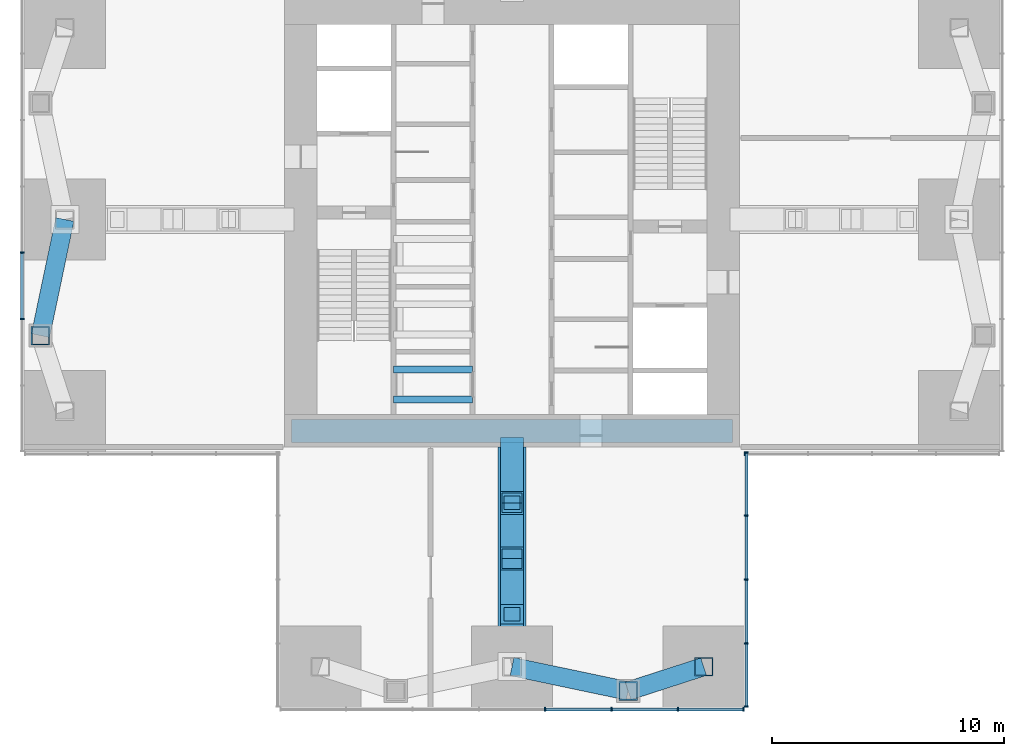
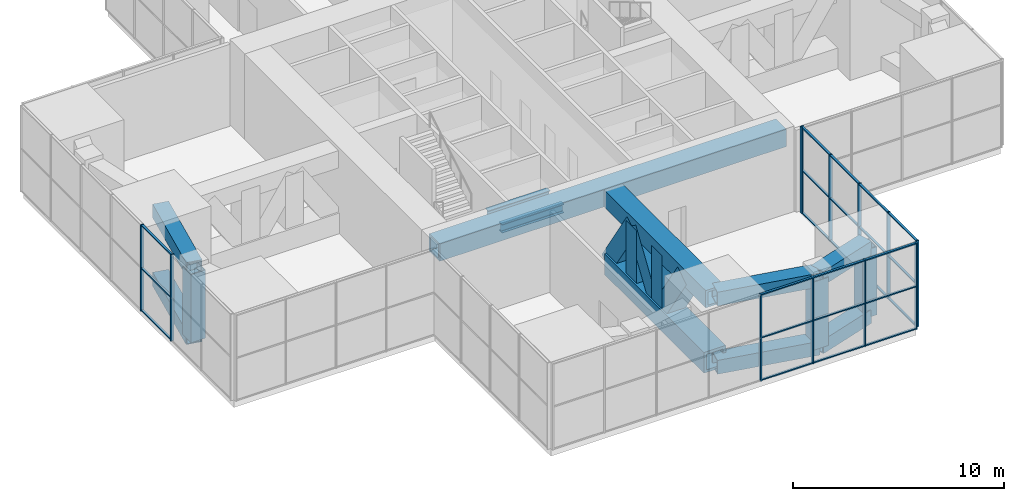
# One storey, part 3 of 12: 53 members, 2 beams, 4 elements without a shape of their own.
"""IFC4 building model written with IfcOpenShell, lengths in metres."""

from ifc_helpers import new_model, si_unit, direction, frame, origin, origin_2d, place, context, subcontext, project, spatial, rectangle, hollow_rectangle, i_section, extrude, material, material_profile, profile_set, type_object, element, aggregate, save


model = new_model("IFC4")

# Units and contexts
model_context = context("Model", 3, precision=1e-05, world=origin(), true_north=direction((0.0, 1.0)))
body_context = subcontext(model_context, "Body", "Model", "MODEL_VIEW")
ifc_project = project(units=[si_unit("LENGTHUNIT", "METRE"), si_unit("AREAUNIT", "SQUARE_METRE"), si_unit("VOLUMEUNIT", "CUBIC_METRE"), si_unit("PLANEANGLEUNIT", "RADIAN"), si_unit("MASSUNIT", "GRAM", prefix="KILO")], contexts=[model_context])

# Site, building, storey
site_placement = place(None, origin())
site = spatial("IfcSite", under=ifc_project, at=site_placement, CompositionType="ELEMENT")
building_placement = place(site_placement, origin())
building = spatial("IfcBuilding", under=site, at=building_placement, Name="Svetlomir Tower", CompositionType="ELEMENT")
storey_placement = place(building_placement, frame((0.0, 0.0, 234.5)))
storey = spatial("IfcBuildingStorey", under=building, at=storey_placement, Name="L56", CompositionType="ELEMENT", Elevation=234.5)

# Members
ifc_material_1 = material(Name="Steel S355", Category="steel")
ifc_material_profile_1 = material_profile(ifc_material_1, hollow_rectangle(XDim=0.800048828125, YDim=0.800048828125, WallThickness=0.050048828125, at=origin_2d()), Name="BOX 800x800x50")
ifc_profile_set_1 = profile_set([ifc_material_profile_1], Name="Steel S355")
member_type_1 = type_object("IfcMemberType", Name="BELT FRAME CHORD BOX 800x800x50", PredefinedType="CHORD", material=ifc_profile_set_1)
for number, where, z_axis, x_axis, name in (
    (1, (21.0, 1.75, 0.39990234375), (0.978651574329, -0.205526387753, 0.0), (0.205526387753, 0.978651574329, 0.0), "Belt frame S L56 bottom chord 3"),
    (2, (21.0, 1.75, 4.35009765625), (0.978651574329, -0.205526387753, 0.0), (0.205526387753, 0.978651574329, 0.0), "Belt frame S L56 top chord 3"),
):
    element("IfcMember", number, at=place(storey_placement, frame(where, z_axis=z_axis, x_axis=x_axis)), inside=storey, type_object=member_type_1, Name=name, PredefinedType="CHORD", context=body_context, shape_type="SweptSolid", body=[
        extrude(hollow_rectangle(XDim=0.800048828125, YDim=0.800048828125, WallThickness=0.050048828125, at=origin_2d()), origin(), (0.0, 0.0, 1.0), 5.109130859375),
    ])
for number, where, z_axis, x_axis, name in (
    (3, (26.0, 0.699951171875, 0.39990234375), (0.951566360503, 0.307443428225, 0.0), (-0.307443428225, 0.951566360503, 0.0), "Belt frame S L56 bottom chord 4"),
    (4, (26.0, 0.699951171875, 4.35009765625), (0.951566360503, 0.307443428225, 0.0), (-0.307443428225, 0.951566360503, 0.0), "Belt frame S L56 top chord 4"),
):
    element("IfcMember", number, at=place(storey_placement, frame(where, z_axis=z_axis, x_axis=x_axis)), inside=storey, type_object=member_type_1, Name=name, PredefinedType="CHORD", context=body_context, shape_type="SweptSolid", body=[
        extrude(hollow_rectangle(XDim=0.800048828125, YDim=0.800048828125, WallThickness=0.050048828125, at=origin_2d()), origin(), (0.0, 0.0, 1.0), 3.41552734375),
    ])
for number, where, z_axis, x_axis, name in (
    (5, (0.699951171875, 16.0, 0.39990234375), (0.205526387753, 0.978651574329, 0.0), (-0.978651574329, 0.205526387753, 0.0), "Belt frame W L56 bottom chord 2"),
    (6, (0.699951171875, 16.0, 4.35009765625), (0.205526387753, 0.978651574329, 0.0), (-0.978651574329, 0.205526387753, 0.0), "Belt frame W L56 top chord 2"),
):
    element("IfcMember", number, at=place(storey_placement, frame(where, z_axis=z_axis, x_axis=x_axis)), inside=storey, type_object=member_type_1, Name=name, PredefinedType="CHORD", context=body_context, shape_type="SweptSolid", body=[
        extrude(hollow_rectangle(XDim=0.800048828125, YDim=0.800048828125, WallThickness=0.050048828125, at=origin_2d()), origin(), (0.0, 0.0, 1.0), 5.109130859375),
    ])
ifc_material_2 = material(Name="Steel S355", Category="steel")
ifc_material_profile_2 = material_profile(ifc_material_2, hollow_rectangle(XDim=0.800048828125, YDim=0.800048828125, WallThickness=0.050048828125, at=origin_2d()), Name="BOX 800x800x50")
ifc_profile_set_2 = profile_set([ifc_material_profile_2], Name="Steel S355")
member_type_2 = type_object("IfcMemberType", Name="BELT FRAME POST BOX 800x800x50", PredefinedType="POST", material=ifc_profile_set_2)
for number, where, z_axis, x_axis, name in (
    (7, (26.0, 0.699951171875, 0.39990234375), (0.0, 0.0, 1.0), (1.0, 0.0, 0.0), "Belt frame S L56 post 4"),
    (8, (29.25, 1.75, 0.39990234375), (0.0, 0.0, 1.0), (1.0, 0.0, 0.0), "Belt frame S L56 post 5"),
    (9, (0.699951171875, 16.0, 0.39990234375), (0.0, 0.0, 1.0), (1.0, 0.0, 0.0), "Belt frame W L56 post 2"),
):
    element("IfcMember", number, at=place(storey_placement, frame(where, z_axis=z_axis, x_axis=x_axis)), inside=storey, type_object=member_type_2, Name=name, PredefinedType="POST", context=body_context, shape_type="SweptSolid", body=[
        extrude(hollow_rectangle(XDim=0.800048828125, YDim=0.800048828125, WallThickness=0.050048828125, at=origin_2d()), origin(), (0.0, 0.0, 1.0), 3.9501953125),
    ])

# Curtain wall, members
ifc_material_3 = material(Name="Bronze anodised aluminium curtain wall", Category="aluminium")
curtain_wall_type = type_object("IfcCurtainWallType", Name="CURTAIN WALL CW3 PLANT LOUVRE", PredefinedType="NOTDEFINED", material=ifc_material_3)
curtain_wall_1_placement = place(storey_placement, origin())
curtain_wall_1 = element("IfcCurtainWall", 10, at=curtain_wall_1_placement, inside=storey, type_object=curtain_wall_type, Name="Curtain wall CW3 L56", PredefinedType="NOTDEFINED")
ifc_material_4 = material(Name="Bronze anodised aluminium", Category="aluminium")
ifc_material_profile_3 = material_profile(ifc_material_4, rectangle(XDim=0.06494140625, YDim=0.179931640625, at=origin_2d()), Name="AL 65x180")
ifc_profile_set_3 = profile_set([ifc_material_profile_3], Name="Bronze anodised aluminium 6063-T6")
member_type_3 = type_object("IfcMemberType", Name="CW3 MULLION 65x180", PredefinedType="MULLION", material=ifc_profile_set_3)
member_1_placement = place(storey_placement, frame((22.428466796875, -0.090087890625, 0.0), z_axis=(0.0, 0.0, 1.0), x_axis=(1.0, 0.0, 0.0)))
member_1 = element("IfcMember", 11, at=member_1_placement, type_object=member_type_3, Name="CW3 mullion 5", PredefinedType="MULLION", context=body_context, shape_type="SweptSolid", body=[
    extrude(rectangle(XDim=0.06494140625, YDim=0.179931640625, at=origin_2d()), origin(), (0.0, 0.0, 1.0), 5.0),
])
member_2_placement = place(storey_placement, frame((25.28564453125, -0.090087890625, 0.0), z_axis=(0.0, 0.0, 1.0), x_axis=(1.0, 0.0, 0.0)))
member_2 = element("IfcMember", 12, at=member_2_placement, type_object=member_type_3, Name="CW3 mullion 6", PredefinedType="MULLION", context=body_context, shape_type="SweptSolid", body=[
    extrude(rectangle(XDim=0.06494140625, YDim=0.179931640625, at=origin_2d()), origin(), (0.0, 0.0, 1.0), 5.0),
])
member_3_placement = place(storey_placement, frame((28.142822265625, -0.090087890625, 0.0), z_axis=(0.0, 0.0, 1.0), x_axis=(1.0, 0.0, 0.0)))
member_3 = element("IfcMember", 13, at=member_3_placement, type_object=member_type_3, Name="CW3 mullion 7", PredefinedType="MULLION", context=body_context, shape_type="SweptSolid", body=[
    extrude(rectangle(XDim=0.06494140625, YDim=0.179931640625, at=origin_2d()), origin(), (0.0, 0.0, 1.0), 5.0),
])
member_4_placement = place(storey_placement, frame((30.967529296875, -0.090087890625, 0.0), z_axis=(0.0, 0.0, 1.0), x_axis=(1.0, 0.0, 0.0)))
member_4 = element("IfcMember", 14, at=member_4_placement, type_object=member_type_3, Name="CW3 mullion 8", PredefinedType="MULLION", context=body_context, shape_type="SweptSolid", body=[
    extrude(rectangle(XDim=0.06494140625, YDim=0.179931640625, at=origin_2d()), origin(), (0.0, 0.0, 1.0), 5.0),
])

curtain_wall_2_placement = place(storey_placement, origin())
curtain_wall_2 = element("IfcCurtainWall", 15, at=curtain_wall_2_placement, inside=storey, type_object=curtain_wall_type, Name="Curtain wall CW3 L56", PredefinedType="NOTDEFINED")
member_5_placement = place(storey_placement, frame((31.090087890625, 0.032470703125, 0.0), z_axis=(0.0, 0.0, 1.0), x_axis=(0.0, 1.0, 0.0)))
member_5 = element("IfcMember", 16, at=member_5_placement, type_object=member_type_3, Name="CW3 mullion 1", PredefinedType="MULLION", context=body_context, shape_type="SweptSolid", body=[
    extrude(rectangle(XDim=0.06494140625, YDim=0.179931640625, at=origin_2d()), origin(), (0.0, 0.0, 1.0), 5.0),
])
member_6_placement = place(storey_placement, frame((31.090087890625, 2.75, 0.0), z_axis=(0.0, 0.0, 1.0), x_axis=(0.0, 1.0, 0.0)))
member_6 = element("IfcMember", 17, at=member_6_placement, type_object=member_type_3, Name="CW3 mullion 2", PredefinedType="MULLION", context=body_context, shape_type="SweptSolid", body=[
    extrude(rectangle(XDim=0.06494140625, YDim=0.179931640625, at=origin_2d()), origin(), (0.0, 0.0, 1.0), 5.0),
])
member_7_placement = place(storey_placement, frame((31.090087890625, 5.5, 0.0), z_axis=(0.0, 0.0, 1.0), x_axis=(0.0, 1.0, 0.0)))
member_7 = element("IfcMember", 18, at=member_7_placement, type_object=member_type_3, Name="CW3 mullion 3", PredefinedType="MULLION", context=body_context, shape_type="SweptSolid", body=[
    extrude(rectangle(XDim=0.06494140625, YDim=0.179931640625, at=origin_2d()), origin(), (0.0, 0.0, 1.0), 5.0),
])
member_8_placement = place(storey_placement, frame((31.090087890625, 8.25, 0.0), z_axis=(0.0, 0.0, 1.0), x_axis=(0.0, 1.0, 0.0)))
member_8 = element("IfcMember", 19, at=member_8_placement, type_object=member_type_3, Name="CW3 mullion 4", PredefinedType="MULLION", context=body_context, shape_type="SweptSolid", body=[
    extrude(rectangle(XDim=0.06494140625, YDim=0.179931640625, at=origin_2d()), origin(), (0.0, 0.0, 1.0), 5.0),
])
member_9_placement = place(storey_placement, frame((31.090087890625, 10.967529296875, 0.0), z_axis=(0.0, 0.0, 1.0), x_axis=(0.0, 1.0, 0.0)))
member_9 = element("IfcMember", 20, at=member_9_placement, type_object=member_type_3, Name="CW3 mullion 5", PredefinedType="MULLION", context=body_context, shape_type="SweptSolid", body=[
    extrude(rectangle(XDim=0.06494140625, YDim=0.179931640625, at=origin_2d()), origin(), (0.0, 0.0, 1.0), 5.0),
])

# Curtain wall, member
curtain_wall_3_placement = place(storey_placement, origin())
curtain_wall_3 = element("IfcCurtainWall", 21, at=curtain_wall_3_placement, inside=storey, type_object=curtain_wall_type, Name="Curtain wall CW3 L56", PredefinedType="NOTDEFINED")
member_10_placement = place(storey_placement, frame((31.032470703125, 10.909912109375, 0.0), z_axis=(0.0, 0.0, 1.0), x_axis=(1.0, 0.0, 0.0)))
member_10 = element("IfcMember", 22, at=member_10_placement, type_object=member_type_3, Name="CW3 mullion 1", PredefinedType="MULLION", context=body_context, shape_type="SweptSolid", body=[
    extrude(rectangle(XDim=0.06494140625, YDim=0.179931640625, at=origin_2d()), origin(), (0.0, 0.0, 1.0), 5.0),
])
aggregate(curtain_wall_3, [member_10])

# Curtain wall, members
curtain_wall_4_placement = place(storey_placement, origin())
curtain_wall_4 = element("IfcCurtainWall", 23, at=curtain_wall_4_placement, inside=storey, type_object=curtain_wall_type, Name="Curtain wall CW3 L56", PredefinedType="NOTDEFINED")
member_11_placement = place(storey_placement, frame((-0.090087890625, 19.571533203125, 0.0), z_axis=(0.0, 0.0, 1.0), x_axis=(0.0, -1.0, 0.0)))
member_11 = element("IfcMember", 24, at=member_11_placement, type_object=member_type_3, Name="CW3 mullion 5", PredefinedType="MULLION", context=body_context, shape_type="SweptSolid", body=[
    extrude(rectangle(XDim=0.06494140625, YDim=0.179931640625, at=origin_2d()), origin(), (0.0, 0.0, 1.0), 5.0),
])
member_12_placement = place(storey_placement, frame((-0.090087890625, 16.71435546875, 0.0), z_axis=(0.0, 0.0, 1.0), x_axis=(0.0, -1.0, 0.0)))
member_12 = element("IfcMember", 25, at=member_12_placement, type_object=member_type_3, Name="CW3 mullion 6", PredefinedType="MULLION", context=body_context, shape_type="SweptSolid", body=[
    extrude(rectangle(XDim=0.06494140625, YDim=0.179931640625, at=origin_2d()), origin(), (0.0, 0.0, 1.0), 5.0),
])

# Member
ifc_material_5 = material(Name="Bronze anodised aluminium", Category="aluminium")
ifc_material_profile_4 = material_profile(ifc_material_5, rectangle(XDim=0.1201171875, YDim=0.06494140625, at=origin_2d()), Name="AL 120x65")
ifc_profile_set_4 = profile_set([ifc_material_profile_4], Name="Bronze anodised aluminium 6063-T6")
member_type_4 = type_object("IfcMemberType", Name="CW3 TRANSOM 65x120", PredefinedType="USERDEFINED", material=ifc_profile_set_4)
member_13_placement = place(storey_placement, frame((22.461181640625, -0.090087890625, 0.032470703125), z_axis=(1.0, 0.0, 0.0), x_axis=(0.0, 1.0, 0.0)))
member_13 = element("IfcMember", 26, at=member_13_placement, type_object=member_type_4, Name="CW3 transom 5.1", ObjectType="TRANSOM", PredefinedType="USERDEFINED", context=body_context, shape_type="SweptSolid", body=[
    extrude(rectangle(XDim=0.1201171875, YDim=0.06494140625, at=origin_2d()), origin(), (0.0, 0.0, 1.0), 2.7919921875),
])

member_14_placement = place(storey_placement, frame((22.461181640625, -0.090087890625, 2.483642578125), z_axis=(1.0, 0.0, 0.0), x_axis=(0.0, 1.0, 0.0)))
member_14 = element("IfcMember", 27, at=member_14_placement, type_object=member_type_4, Name="CW3 transom 5.2", ObjectType="TRANSOM", PredefinedType="USERDEFINED", context=body_context, shape_type="SweptSolid", body=[
    extrude(rectangle(XDim=0.1201171875, YDim=0.06494140625, at=origin_2d()), origin(), (0.0, 0.0, 1.0), 2.7919921875),
])

member_15_placement = place(storey_placement, frame((22.461181640625, -0.090087890625, 4.967529296875), z_axis=(1.0, 0.0, 0.0), x_axis=(0.0, 1.0, 0.0)))
member_15 = element("IfcMember", 28, at=member_15_placement, type_object=member_type_4, Name="CW3 transom 5.3", ObjectType="TRANSOM", PredefinedType="USERDEFINED", context=body_context, shape_type="SweptSolid", body=[
    extrude(rectangle(XDim=0.1201171875, YDim=0.06494140625, at=origin_2d()), origin(), (0.0, 0.0, 1.0), 2.7919921875),
])

member_16_placement = place(storey_placement, frame((25.318115234375, -0.090087890625, 0.032470703125), z_axis=(1.0, 0.0, 0.0), x_axis=(0.0, 1.0, 0.0)))
member_16 = element("IfcMember", 29, at=member_16_placement, type_object=member_type_4, Name="CW3 transom 6.1", ObjectType="TRANSOM", PredefinedType="USERDEFINED", context=body_context, shape_type="SweptSolid", body=[
    extrude(rectangle(XDim=0.1201171875, YDim=0.06494140625, at=origin_2d()), origin(), (0.0, 0.0, 1.0), 2.792236328125),
])

member_17_placement = place(storey_placement, frame((25.318115234375, -0.090087890625, 2.483642578125), z_axis=(1.0, 0.0, 0.0), x_axis=(0.0, 1.0, 0.0)))
member_17 = element("IfcMember", 30, at=member_17_placement, type_object=member_type_4, Name="CW3 transom 6.2", ObjectType="TRANSOM", PredefinedType="USERDEFINED", context=body_context, shape_type="SweptSolid", body=[
    extrude(rectangle(XDim=0.1201171875, YDim=0.06494140625, at=origin_2d()), origin(), (0.0, 0.0, 1.0), 2.792236328125),
])

member_18_placement = place(storey_placement, frame((25.318115234375, -0.090087890625, 4.967529296875), z_axis=(1.0, 0.0, 0.0), x_axis=(0.0, 1.0, 0.0)))
member_18 = element("IfcMember", 31, at=member_18_placement, type_object=member_type_4, Name="CW3 transom 6.3", ObjectType="TRANSOM", PredefinedType="USERDEFINED", context=body_context, shape_type="SweptSolid", body=[
    extrude(rectangle(XDim=0.1201171875, YDim=0.06494140625, at=origin_2d()), origin(), (0.0, 0.0, 1.0), 2.792236328125),
])

member_19_placement = place(storey_placement, frame((28.17529296875, -0.090087890625, 0.032470703125), z_axis=(1.0, 0.0, 0.0), x_axis=(0.0, 1.0, 0.0)))
member_19 = element("IfcMember", 32, at=member_19_placement, type_object=member_type_4, Name="CW3 transom 7.1", ObjectType="TRANSOM", PredefinedType="USERDEFINED", context=body_context, shape_type="SweptSolid", body=[
    extrude(rectangle(XDim=0.1201171875, YDim=0.06494140625, at=origin_2d()), origin(), (0.0, 0.0, 1.0), 2.759765625),
])

member_20_placement = place(storey_placement, frame((28.17529296875, -0.090087890625, 2.483642578125), z_axis=(1.0, 0.0, 0.0), x_axis=(0.0, 1.0, 0.0)))
member_20 = element("IfcMember", 33, at=member_20_placement, type_object=member_type_4, Name="CW3 transom 7.2", ObjectType="TRANSOM", PredefinedType="USERDEFINED", context=body_context, shape_type="SweptSolid", body=[
    extrude(rectangle(XDim=0.1201171875, YDim=0.06494140625, at=origin_2d()), origin(), (0.0, 0.0, 1.0), 2.759765625),
])

member_21_placement = place(storey_placement, frame((28.17529296875, -0.090087890625, 4.967529296875), z_axis=(1.0, 0.0, 0.0), x_axis=(0.0, 1.0, 0.0)))
member_21 = element("IfcMember", 34, at=member_21_placement, type_object=member_type_4, Name="CW3 transom 7.3", ObjectType="TRANSOM", PredefinedType="USERDEFINED", context=body_context, shape_type="SweptSolid", body=[
    extrude(rectangle(XDim=0.1201171875, YDim=0.06494140625, at=origin_2d()), origin(), (0.0, 0.0, 1.0), 2.759765625),
])

aggregate(curtain_wall_1, [member_1, member_2, member_3, member_4, member_13, member_14, member_15, member_16, member_17, member_18, member_19, member_20, member_21])

member_22_placement = place(storey_placement, frame((31.090087890625, 0.06494140625, 0.032470703125), z_axis=(0.0, 1.0, 0.0), x_axis=(-1.0, 0.0, 0.0)))
member_22 = element("IfcMember", 35, at=member_22_placement, type_object=member_type_4, Name="CW3 transom 1.1", ObjectType="TRANSOM", PredefinedType="USERDEFINED", context=body_context, shape_type="SweptSolid", body=[
    extrude(rectangle(XDim=0.1201171875, YDim=0.06494140625, at=origin_2d()), origin(), (0.0, 0.0, 1.0), 2.652587890625),
])

member_23_placement = place(storey_placement, frame((31.090087890625, 0.06494140625, 2.483642578125), z_axis=(0.0, 1.0, 0.0), x_axis=(-1.0, 0.0, 0.0)))
member_23 = element("IfcMember", 36, at=member_23_placement, type_object=member_type_4, Name="CW3 transom 1.2", ObjectType="TRANSOM", PredefinedType="USERDEFINED", context=body_context, shape_type="SweptSolid", body=[
    extrude(rectangle(XDim=0.1201171875, YDim=0.06494140625, at=origin_2d()), origin(), (0.0, 0.0, 1.0), 2.652587890625),
])

member_24_placement = place(storey_placement, frame((31.090087890625, 0.06494140625, 4.967529296875), z_axis=(0.0, 1.0, 0.0), x_axis=(-1.0, 0.0, 0.0)))
member_24 = element("IfcMember", 37, at=member_24_placement, type_object=member_type_4, Name="CW3 transom 1.3", ObjectType="TRANSOM", PredefinedType="USERDEFINED", context=body_context, shape_type="SweptSolid", body=[
    extrude(rectangle(XDim=0.1201171875, YDim=0.06494140625, at=origin_2d()), origin(), (0.0, 0.0, 1.0), 2.652587890625),
])

member_25_placement = place(storey_placement, frame((31.090087890625, 2.782470703125, 0.032470703125), z_axis=(0.0, 1.0, 0.0), x_axis=(-1.0, 0.0, 0.0)))
member_25 = element("IfcMember", 38, at=member_25_placement, type_object=member_type_4, Name="CW3 transom 2.1", ObjectType="TRANSOM", PredefinedType="USERDEFINED", context=body_context, shape_type="SweptSolid", body=[
    extrude(rectangle(XDim=0.1201171875, YDim=0.06494140625, at=origin_2d()), origin(), (0.0, 0.0, 1.0), 2.68505859375),
])

member_26_placement = place(storey_placement, frame((31.090087890625, 2.782470703125, 2.483642578125), z_axis=(0.0, 1.0, 0.0), x_axis=(-1.0, 0.0, 0.0)))
member_26 = element("IfcMember", 39, at=member_26_placement, type_object=member_type_4, Name="CW3 transom 2.2", ObjectType="TRANSOM", PredefinedType="USERDEFINED", context=body_context, shape_type="SweptSolid", body=[
    extrude(rectangle(XDim=0.1201171875, YDim=0.06494140625, at=origin_2d()), origin(), (0.0, 0.0, 1.0), 2.68505859375),
])

member_27_placement = place(storey_placement, frame((31.090087890625, 2.782470703125, 4.967529296875), z_axis=(0.0, 1.0, 0.0), x_axis=(-1.0, 0.0, 0.0)))
member_27 = element("IfcMember", 40, at=member_27_placement, type_object=member_type_4, Name="CW3 transom 2.3", ObjectType="TRANSOM", PredefinedType="USERDEFINED", context=body_context, shape_type="SweptSolid", body=[
    extrude(rectangle(XDim=0.1201171875, YDim=0.06494140625, at=origin_2d()), origin(), (0.0, 0.0, 1.0), 2.68505859375),
])

member_28_placement = place(storey_placement, frame((31.090087890625, 5.532470703125, 0.032470703125), z_axis=(0.0, 1.0, 0.0), x_axis=(-1.0, 0.0, 0.0)))
member_28 = element("IfcMember", 41, at=member_28_placement, type_object=member_type_4, Name="CW3 transom 3.1", ObjectType="TRANSOM", PredefinedType="USERDEFINED", context=body_context, shape_type="SweptSolid", body=[
    extrude(rectangle(XDim=0.1201171875, YDim=0.06494140625, at=origin_2d()), origin(), (0.0, 0.0, 1.0), 2.68505859375),
])

member_29_placement = place(storey_placement, frame((31.090087890625, 5.532470703125, 2.483642578125), z_axis=(0.0, 1.0, 0.0), x_axis=(-1.0, 0.0, 0.0)))
member_29 = element("IfcMember", 42, at=member_29_placement, type_object=member_type_4, Name="CW3 transom 3.2", ObjectType="TRANSOM", PredefinedType="USERDEFINED", context=body_context, shape_type="SweptSolid", body=[
    extrude(rectangle(XDim=0.1201171875, YDim=0.06494140625, at=origin_2d()), origin(), (0.0, 0.0, 1.0), 2.68505859375),
])

member_30_placement = place(storey_placement, frame((31.090087890625, 5.532470703125, 4.967529296875), z_axis=(0.0, 1.0, 0.0), x_axis=(-1.0, 0.0, 0.0)))
member_30 = element("IfcMember", 43, at=member_30_placement, type_object=member_type_4, Name="CW3 transom 3.3", ObjectType="TRANSOM", PredefinedType="USERDEFINED", context=body_context, shape_type="SweptSolid", body=[
    extrude(rectangle(XDim=0.1201171875, YDim=0.06494140625, at=origin_2d()), origin(), (0.0, 0.0, 1.0), 2.68505859375),
])

member_31_placement = place(storey_placement, frame((31.090087890625, 8.282470703125, 0.032470703125), z_axis=(0.0, 1.0, 0.0), x_axis=(-1.0, 0.0, 0.0)))
member_31 = element("IfcMember", 44, at=member_31_placement, type_object=member_type_4, Name="CW3 transom 4.1", ObjectType="TRANSOM", PredefinedType="USERDEFINED", context=body_context, shape_type="SweptSolid", body=[
    extrude(rectangle(XDim=0.1201171875, YDim=0.06494140625, at=origin_2d()), origin(), (0.0, 0.0, 1.0), 2.652587890625),
])

member_32_placement = place(storey_placement, frame((31.090087890625, 8.282470703125, 2.483642578125), z_axis=(0.0, 1.0, 0.0), x_axis=(-1.0, 0.0, 0.0)))
member_32 = element("IfcMember", 45, at=member_32_placement, type_object=member_type_4, Name="CW3 transom 4.2", ObjectType="TRANSOM", PredefinedType="USERDEFINED", context=body_context, shape_type="SweptSolid", body=[
    extrude(rectangle(XDim=0.1201171875, YDim=0.06494140625, at=origin_2d()), origin(), (0.0, 0.0, 1.0), 2.652587890625),
])

member_33_placement = place(storey_placement, frame((31.090087890625, 8.282470703125, 4.967529296875), z_axis=(0.0, 1.0, 0.0), x_axis=(-1.0, 0.0, 0.0)))
member_33 = element("IfcMember", 46, at=member_33_placement, type_object=member_type_4, Name="CW3 transom 4.3", ObjectType="TRANSOM", PredefinedType="USERDEFINED", context=body_context, shape_type="SweptSolid", body=[
    extrude(rectangle(XDim=0.1201171875, YDim=0.06494140625, at=origin_2d()), origin(), (0.0, 0.0, 1.0), 2.652587890625),
])

aggregate(curtain_wall_2, [member_5, member_6, member_7, member_8, member_9, member_22, member_23, member_24, member_25, member_26, member_27, member_28, member_29, member_30, member_31, member_32, member_33])

member_34_placement = place(storey_placement, frame((-0.090087890625, 19.538818359375, 0.032470703125), z_axis=(0.0, -1.0, 0.0), x_axis=(1.0, 0.0, 0.0)))
member_34 = element("IfcMember", 47, at=member_34_placement, type_object=member_type_4, Name="CW3 transom 5.1", ObjectType="TRANSOM", PredefinedType="USERDEFINED", context=body_context, shape_type="SweptSolid", body=[
    extrude(rectangle(XDim=0.1201171875, YDim=0.06494140625, at=origin_2d()), origin(), (0.0, 0.0, 1.0), 2.7919921875),
])

member_35_placement = place(storey_placement, frame((-0.090087890625, 19.538818359375, 2.483642578125), z_axis=(0.0, -1.0, 0.0), x_axis=(1.0, 0.0, 0.0)))
member_35 = element("IfcMember", 48, at=member_35_placement, type_object=member_type_4, Name="CW3 transom 5.2", ObjectType="TRANSOM", PredefinedType="USERDEFINED", context=body_context, shape_type="SweptSolid", body=[
    extrude(rectangle(XDim=0.1201171875, YDim=0.06494140625, at=origin_2d()), origin(), (0.0, 0.0, 1.0), 2.7919921875),
])

member_36_placement = place(storey_placement, frame((-0.090087890625, 19.538818359375, 4.967529296875), z_axis=(0.0, -1.0, 0.0), x_axis=(1.0, 0.0, 0.0)))
member_36 = element("IfcMember", 49, at=member_36_placement, type_object=member_type_4, Name="CW3 transom 5.3", ObjectType="TRANSOM", PredefinedType="USERDEFINED", context=body_context, shape_type="SweptSolid", body=[
    extrude(rectangle(XDim=0.1201171875, YDim=0.06494140625, at=origin_2d()), origin(), (0.0, 0.0, 1.0), 2.7919921875),
])

aggregate(curtain_wall_4, [member_11, member_12, member_34, member_35, member_36])

# Beams
ifc_material_6 = material(Name="Steel S355", Category="steel")
ifc_material_profile_5 = material_profile(ifc_material_6, i_section(OverallWidth=0.300048828125, OverallDepth=0.5, WebThickness=0.014404296875, FlangeThickness=0.028076171875, FilletRadius=0.027099609375, at=origin_2d()), Name="HEB 500")
ifc_profile_set_5 = profile_set([ifc_material_profile_5], Name="Steel S355")
beam_type = type_object("IfcBeamType", Name="LIFT PIT BEAM HEB 500", PredefinedType="BEAM", material=ifc_profile_set_5)
for number, where, z_axis, x_axis, name in (
    (50, (15.89990234375, 13.25, 3.050048828125), (1.0, 0.0, 0.0), (0.0, 1.0, 0.0), "Lift pit beam BANK-W1 1 under L57"),
    (51, (15.89990234375, 14.550048828125, 3.050048828125), (1.0, 0.0, 0.0), (0.0, 1.0, 0.0), "Lift pit beam BANK-W1 2 under L57"),
):
    element("IfcBeam", number, at=place(storey_placement, frame(where, z_axis=z_axis, x_axis=x_axis)), inside=storey, type_object=beam_type, Name=name, PredefinedType="BEAM", context=body_context, shape_type="SweptSolid", body=[
        extrude(i_section(OverallWidth=0.300048828125, OverallDepth=0.5, WebThickness=0.014404296875, FlangeThickness=0.028076171875, FilletRadius=0.027099609375, at=origin_2d()), origin(), (0.0, 0.0, 1.0), 3.400146484375),
    ])

# Members
ifc_material_7 = material(Name="Steel S355", Category="steel")
ifc_material_profile_6 = material_profile(ifc_material_7, hollow_rectangle(XDim=1.0, YDim=1.0, WallThickness=0.1201171875, at=origin_2d()), Name="BOX 1000x1000x120")
ifc_profile_set_6 = profile_set([ifc_material_profile_6], Name="Steel S355")
member_type_5 = type_object("IfcMemberType", Name="OUTRIGGER CHORD BOX 1000x1000x120", PredefinedType="CHORD", material=ifc_profile_set_6)
member_37_placement = place(storey_placement, frame((21.0, 11.39990234375, 4.25), z_axis=(0.0, -1.0, 0.0), x_axis=(1.0, 0.0, 0.0)))
element("IfcMember", 52, at=member_37_placement, inside=storey, type_object=member_type_5, Name="Outrigger S L56 top chord", PredefinedType="CHORD", context=body_context, shape_type="SweptSolid", body=[
    extrude(hollow_rectangle(XDim=1.0, YDim=1.0, WallThickness=0.1201171875, at=origin_2d()), origin(), (0.0, 0.0, 1.0), 9.64990234375),
])
ifc_material_8 = material(Name="Steel S355", Category="steel")
ifc_material_profile_7 = material_profile(ifc_material_8, hollow_rectangle(XDim=1.199951171875, YDim=1.199951171875, WallThickness=0.14990234375, at=origin_2d()), Name="BOX 1200x1200x150")
ifc_profile_set_7 = profile_set([ifc_material_profile_7], Name="Steel S355")
member_type_6 = type_object("IfcMemberType", Name="OUTRIGGER CHORD BOX 1200x1200x150", PredefinedType="CHORD", material=ifc_profile_set_7)
member_38_placement = place(storey_placement, frame((21.0, 11.199951171875, 0.60009765625), z_axis=(0.0, -1.0, 0.0), x_axis=(1.0, 0.0, 0.0)))
element("IfcMember", 53, at=member_38_placement, inside=storey, type_object=member_type_6, Name="Outrigger S L56 bottom chord", PredefinedType="CHORD", context=body_context, shape_type="SweptSolid", body=[
    extrude(hollow_rectangle(XDim=1.199951171875, YDim=1.199951171875, WallThickness=0.14990234375, at=origin_2d()), origin(), (0.0, 0.0, 1.0), 9.449951171875),
])
ifc_material_9 = material(Name="Steel S355", Category="steel")
ifc_material_profile_8 = material_profile(ifc_material_9, hollow_rectangle(XDim=1.0, YDim=1.0, WallThickness=0.1201171875, at=origin_2d()), Name="BOX 1000x1000x120")
ifc_profile_set_8 = profile_set([ifc_material_profile_8], Name="Steel S355")
member_type_7 = type_object("IfcMemberType", Name="OUTRIGGER CHORD, EMBEDDED BOX 1000x1000x120", PredefinedType="CHORD", material=ifc_profile_set_8)
member_39_placement = place(storey_placement, frame((11.5, 11.89990234375, 4.25), z_axis=(1.0, 0.0, 0.0), x_axis=(0.0, 1.0, 0.0)))
element("IfcMember", 54, at=member_39_placement, inside=storey, type_object=member_type_7, Name="Embedded outrigger chord S core wall L56 top", PredefinedType="CHORD", context=body_context, shape_type="SweptSolid", body=[
    extrude(hollow_rectangle(XDim=1.0, YDim=1.0, WallThickness=0.1201171875, at=origin_2d()), origin(), (0.0, 0.0, 1.0), 19.0),
])
ifc_material_10 = material(Name="Steel S355", Category="steel")
ifc_material_profile_9 = material_profile(ifc_material_10, hollow_rectangle(XDim=1.0, YDim=1.0, WallThickness=0.14990234375, at=origin_2d()), Name="BOX 1000x1000x150")
ifc_profile_set_9 = profile_set([ifc_material_profile_9], Name="Steel S355")
member_type_8 = type_object("IfcMemberType", Name="OUTRIGGER DIAGONAL BOX 1000x1000x150", PredefinedType="BRACE", material=ifc_profile_set_9)
member_40_placement = place(storey_placement, frame((21.0, 11.199951171875, 0.60009765625), z_axis=(0.0, -0.549400918172, 0.835558873516), x_axis=(1.0, 0.0, 0.0)))
element("IfcMember", 55, at=member_40_placement, inside=storey, type_object=member_type_8, Name="Outrigger S L56 diagonal 1", PredefinedType="BRACE", context=body_context, shape_type="SweptSolid", body=[
    extrude(hollow_rectangle(XDim=1.0, YDim=1.0, WallThickness=0.14990234375, at=origin_2d()), origin(), (0.0, 0.0, 1.0), 4.3681640625),
])
member_41_placement = place(storey_placement, frame((21.0, 8.800048828125, 4.25), z_axis=(0.0, -0.549439936618, -0.835533216604), x_axis=(1.0, 0.0, 0.0)))
element("IfcMember", 56, at=member_41_placement, inside=storey, type_object=member_type_8, Name="Outrigger S L56 diagonal 2", PredefinedType="BRACE", context=body_context, shape_type="SweptSolid", body=[
    extrude(hollow_rectangle(XDim=1.0, YDim=1.0, WallThickness=0.14990234375, at=origin_2d()), origin(), (0.0, 0.0, 1.0), 4.368408203125),
])
member_42_placement = place(storey_placement, frame((21.0, 6.39990234375, 0.60009765625), z_axis=(0.0, -0.549400918172, 0.835558873516), x_axis=(1.0, 0.0, 0.0)))
element("IfcMember", 57, at=member_42_placement, inside=storey, type_object=member_type_8, Name="Outrigger S L56 diagonal 3", PredefinedType="BRACE", context=body_context, shape_type="SweptSolid", body=[
    extrude(hollow_rectangle(XDim=1.0, YDim=1.0, WallThickness=0.14990234375, at=origin_2d()), origin(), (0.0, 0.0, 1.0), 4.3681640625),
])
ifc_material_11 = material(Name="Steel S355", Category="steel")
ifc_material_profile_10 = material_profile(ifc_material_11, hollow_rectangle(XDim=1.0, YDim=1.0, WallThickness=0.080078125, at=origin_2d()), Name="BOX 1000x1000x80")
ifc_profile_set_10 = profile_set([ifc_material_profile_10], Name="Steel S355")
member_type_9 = type_object("IfcMemberType", Name="OUTRIGGER POST BOX 1000x1000x80", PredefinedType="POST", material=ifc_profile_set_10)
for number, where, z_axis, x_axis, name in (
    (58, (21.0, 8.800048828125, 0.60009765625), (0.0, 0.0, 1.0), (1.0, 0.0, 0.0), "Outrigger S L56 post 1"),
    (59, (21.0, 6.39990234375, 0.60009765625), (0.0, 0.0, 1.0), (1.0, 0.0, 0.0), "Outrigger S L56 post 2"),
):
    element("IfcMember", number, at=place(storey_placement, frame(where, z_axis=z_axis, x_axis=x_axis)), inside=storey, type_object=member_type_9, Name=name, PredefinedType="POST", context=body_context, shape_type="SweptSolid", body=[
        extrude(hollow_rectangle(XDim=1.0, YDim=1.0, WallThickness=0.080078125, at=origin_2d()), origin(), (0.0, 0.0, 1.0), 3.64990234375),
    ])

save(model, "model.ifc")
